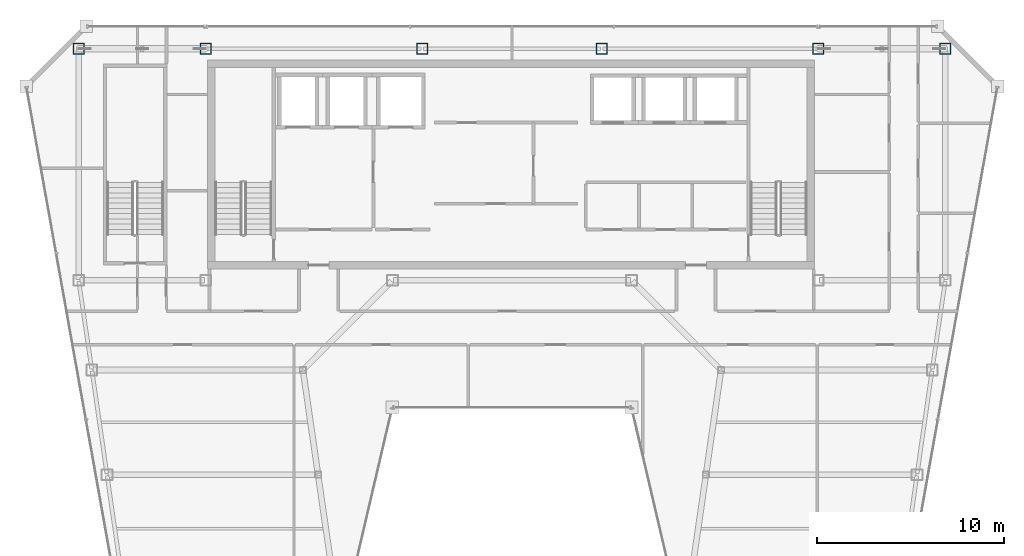
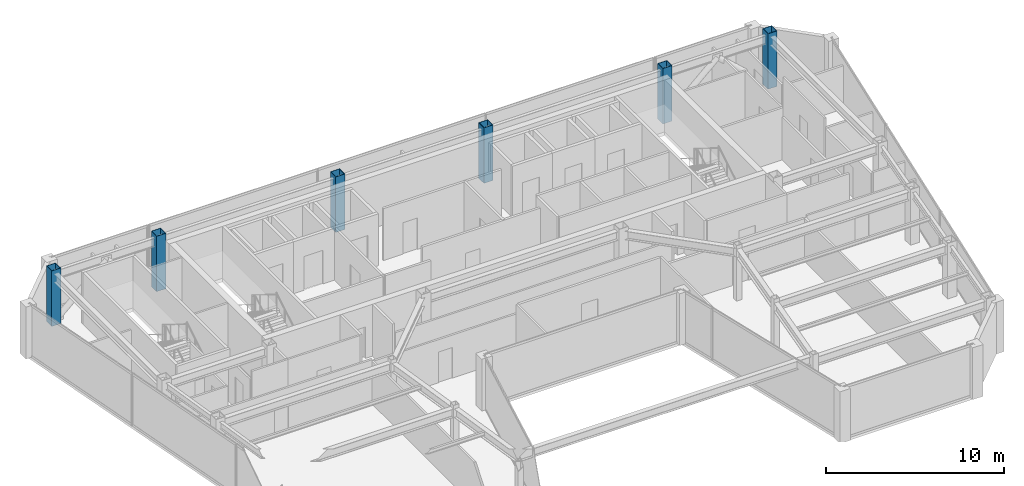
# One storey, part 2 of 32: 6 columns.
"""IFC4 building model written with IfcOpenShell, lengths in metres."""

from ifc_helpers import new_model, si_unit, direction, frame, origin, origin_2d, place, context, subcontext, project, spatial, hollow_rectangle, extrude, material, material_profile, profile_set, type_object, element, save


model = new_model("IFC4")

# Units and contexts
model_context = context("Model", 3, precision=1e-05, world=origin(), true_north=direction((0.0, 1.0)))
body_context = subcontext(model_context, "Body", "Model", "MODEL_VIEW")
ifc_project = project(units=[si_unit("LENGTHUNIT", "METRE"), si_unit("AREAUNIT", "SQUARE_METRE"), si_unit("VOLUMEUNIT", "CUBIC_METRE"), si_unit("PLANEANGLEUNIT", "RADIAN"), si_unit("MASSUNIT", "GRAM", prefix="KILO")], contexts=[model_context])

# Site, building, storey
site_placement = place(None, origin())
site = spatial("IfcSite", under=ifc_project, at=site_placement, CompositionType="ELEMENT")
building_placement = place(site_placement, origin())
building = spatial("IfcBuilding", under=site, at=building_placement, Name="Saevonmaru Cultural Tower", CompositionType="ELEMENT")
storey_placement = place(building_placement, frame((0.0, 0.0, 264.800048828125)))
storey = spatial("IfcBuildingStorey", under=building, at=storey_placement, Name="L62", CompositionType="ELEMENT", Elevation=264.800048828125)

# Columns
ifc_material = material(Name="Steel SM355", Category="steel")
ifc_material_profile = material_profile(ifc_material, hollow_rectangle(XDim=0.60009765625, YDim=0.60009765625, WallThickness=0.028076171875, at=origin_2d()), Name="BOX-600x600x28")
ifc_profile_set = profile_set([ifc_material_profile], Name="Steel SM355")
column_type = type_object("IfcColumnType", Name="COL-BOX-600", PredefinedType="COLUMN", material=ifc_profile_set)
for number, where, z_axis, x_axis, name in (
    (1, (6.800048828125, 54.800048828125, 0.0), (0.0, 0.0, 1.0), (1.0, 0.0, 0.0), "L62 Column TC-N1N"),
    (2, (13.60009765625, 54.800048828125, 0.0), (0.0, 0.0, 1.0), (1.0, 0.0, 0.0), "L62 Column TC-N2N"),
    (3, (25.199951171875, 54.800048828125, 0.0), (0.0, 0.0, 1.0), (1.0, 0.0, 0.0), "L62 Column TC-N3N"),
    (4, (34.800048828125, 54.800048828125, 0.0), (0.0, 0.0, 1.0), (1.0, 0.0, 0.0), "L62 Column TC-N4N"),
    (5, (46.39990234375, 54.800048828125, 0.0), (0.0, 0.0, 1.0), (1.0, 0.0, 0.0), "L62 Column TC-N5N"),
    (6, (53.199951171875, 54.800048828125, 0.0), (0.0, 0.0, 1.0), (1.0, 0.0, 0.0), "L62 Column TC-N6N"),
):
    element("IfcColumn", number, at=place(storey_placement, frame(where, z_axis=z_axis, x_axis=x_axis)), inside=storey, type_object=column_type, Name=name, PredefinedType="COLUMN", context=body_context, shape_type="SweptSolid", body=[
        extrude(hollow_rectangle(XDim=0.60009765625, YDim=0.60009765625, WallThickness=0.028076171875, at=origin_2d()), origin(), (0.0, 0.0, 1.0), 3.800048828125),
    ])

save(model, "model.ifc")
